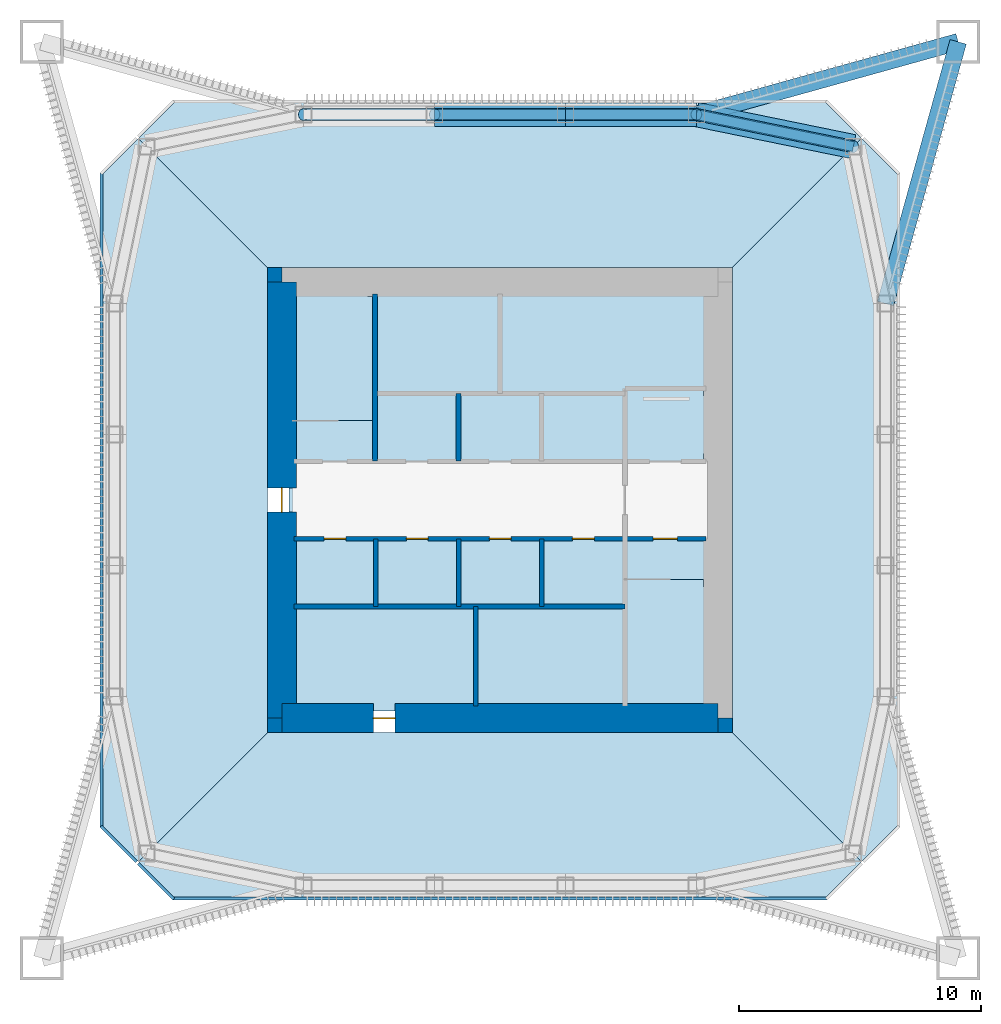
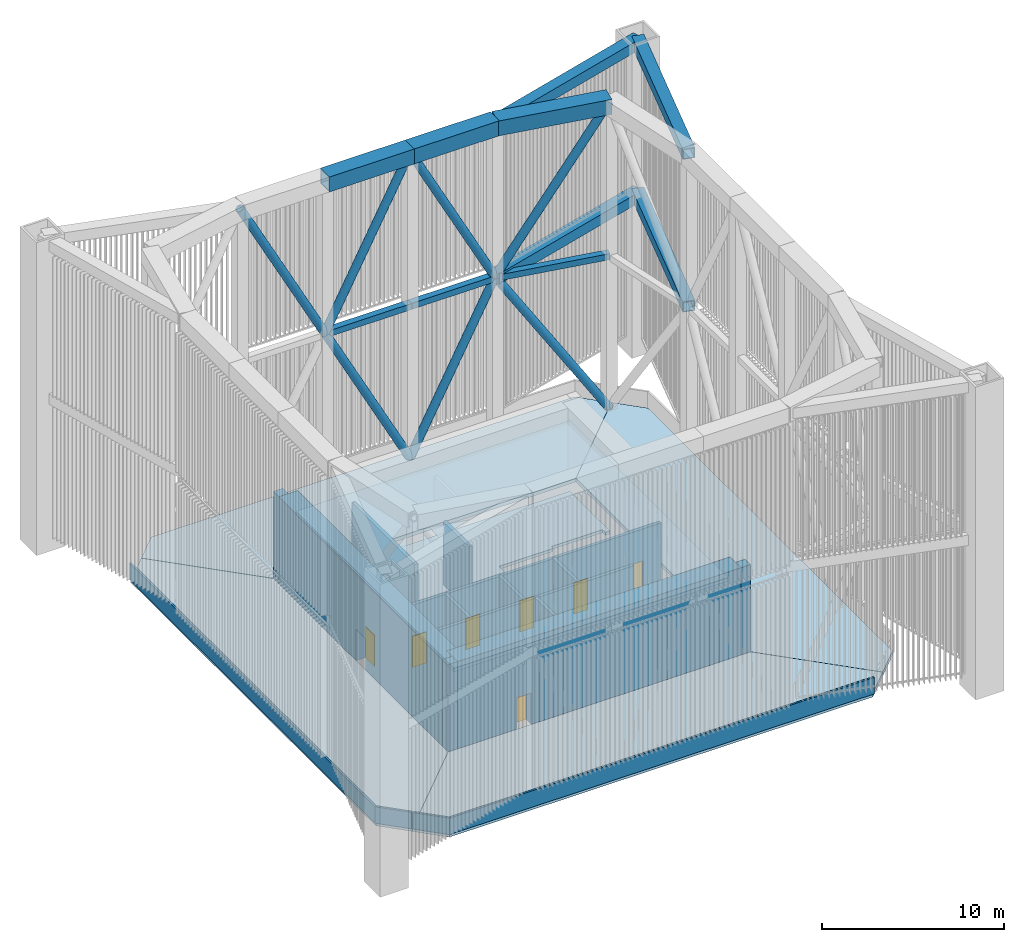
# One storey, part 2 of 13: 17 members, 17 walls, 7 doors, 6 slabs, 7 openings.
"""IFC4 building model written with IfcOpenShell, lengths in metres."""

from ifc_helpers import new_model, si_unit, direction, frame, frame_2d, origin, origin_2d, place, context, subcontext, project, spatial, polyline, rectangle, hollow_rectangle, hollow_circle, outline, extrude, material, layer, layer_set, constituent, constituent_set, material_profile, profile_set, type_object, element, fill, save


model = new_model("IFC4")

# Units and contexts
model_context = context("Model", 3, precision=1e-05, world=origin(), true_north=direction((0.0, 1.0)))
body_context = subcontext(model_context, "Body", "Model", "MODEL_VIEW")
ifc_project = project(units=[si_unit("LENGTHUNIT", "METRE"), si_unit("AREAUNIT", "SQUARE_METRE"), si_unit("VOLUMEUNIT", "CUBIC_METRE"), si_unit("PLANEANGLEUNIT", "RADIAN"), si_unit("MASSUNIT", "GRAM", prefix="KILO")], contexts=[model_context])

# Site, building, storey
site_placement = place(None, origin())
site = spatial("IfcSite", under=ifc_project, at=site_placement, CompositionType="ELEMENT")
building_placement = place(site_placement, origin())
building = spatial("IfcBuilding", under=site, at=building_placement, Name="Iwan Alto Co-Living Towers", CompositionType="ELEMENT")
storey_placement = place(building_placement, frame((0.0, 0.0, 267.5)))
storey = spatial("IfcBuildingStorey", under=building, at=storey_placement, Name="RF", CompositionType="ELEMENT", Elevation=267.5)

# Members
ifc_material_1 = material(Name="Steel ASTM A500 Gr C", Category="steel")
ifc_material_profile_1 = material_profile(ifc_material_1, hollow_circle(Radius=0.25390625, WallThickness=0.01171875, at=origin_2d()), Name="HSS20.000X0.500")
ifc_profile_set_1 = profile_set([ifc_material_profile_1], Name="Steel ASTM A500 Gr C")
member_type_1 = type_object("IfcMemberType", Name="T1 CROWN FRAME BRACE HSS20.000X0.500", PredefinedType="BRACE", material=ifc_profile_set_1)
for number, where, z_axis, x_axis, name in (
    (1, (14.57568359375, 14.57568359375, 0.0), (-0.530947587587, 0.108575618876, 0.840420129591), (-0.200347889618, -0.979724820103, 0.0), "T1 crown frame brace lower CNE"),
    (2, (8.10009765625, 15.89990234375, 10.25), (0.530947587587, -0.108575618876, 0.840420129591), (0.200347889618, 0.979724820103, 0.0), "T1 crown frame brace upper CNE"),
):
    element("IfcMember", number, at=place(storey_placement, frame(where, z_axis=z_axis, x_axis=x_axis)), inside=storey, type_object=member_type_1, Name=name, PredefinedType="BRACE", context=body_context, shape_type="SweptSolid", body=[
        extrude(hollow_circle(Radius=0.25390625, WallThickness=0.01171875, at=origin_2d()), origin(), (0.0, 0.0, 1.0), 12.1962890625),
    ])
for number, where, z_axis, x_axis, name in (
    (3, (2.699951171875, 15.89990234375, 0.0), (0.466112038043, 0.0, 0.88472570212), (0.0, 1.0, 0.0), "T1 crown frame brace lower N1"),
    (4, (8.10009765625, 15.89990234375, 10.25), (-0.466112038043, 0.0, 0.88472570212), (0.0, -1.0, 0.0), "T1 crown frame brace upper N1"),
    (5, (2.699951171875, 15.89990234375, 0.0), (-0.466095543187, 0.0, 0.884734392132), (0.0, -1.0, 0.0), "T1 crown frame brace lower N2"),
    (6, (-2.699951171875, 15.89990234375, 10.25), (0.466095543187, 0.0, 0.884734392132), (0.0, 1.0, 0.0), "T1 crown frame brace upper N2"),
    (7, (-2.699951171875, 15.89990234375, 10.25), (-0.466112038043, 0.0, 0.88472570212), (0.0, -1.0, 0.0), "T1 crown frame brace upper N3"),
):
    element("IfcMember", number, at=place(storey_placement, frame(where, z_axis=z_axis, x_axis=x_axis)), inside=storey, type_object=member_type_1, Name=name, PredefinedType="BRACE", context=body_context, shape_type="SweptSolid", body=[
        extrude(hollow_circle(Radius=0.25390625, WallThickness=0.01171875, at=origin_2d()), origin(), (0.0, 0.0, 1.0), 11.58544921875),
    ])
ifc_material_2 = material(Name="Steel ASTM A572 Gr 50", Category="steel")
ifc_material_profile_2 = material_profile(ifc_material_2, hollow_rectangle(XDim=1.0, YDim=1.0, WallThickness=0.050048828125, at=origin_2d()), Name="BOX 1000X1000X50")
ifc_profile_set_2 = profile_set([ifc_material_profile_2], Name="Steel ASTM A572 Gr 50")
member_type_2 = type_object("IfcMemberType", Name="T1 CROWN FRAME CAP RING BOX 1000X1000X50", PredefinedType="MEMBER", material=ifc_profile_set_2)
member_1_placement = place(storey_placement, frame((14.57568359375, 14.57568359375, 20.5), z_axis=(-0.979724820103, 0.200347889618, 0.0), x_axis=(-0.200347889618, -0.979724820103, 0.0)))
element("IfcMember", 8, at=member_1_placement, inside=storey, type_object=member_type_2, Name="T1 crown frame cap ring CNE", PredefinedType="MEMBER", context=body_context, shape_type="SweptSolid", body=[
    extrude(hollow_rectangle(XDim=1.0, YDim=1.0, WallThickness=0.050048828125, at=origin_2d()), origin(), (0.0, 0.0, 1.0), 6.609619140625),
])
member_2_placement = place(storey_placement, frame((8.10009765625, 15.89990234375, 20.5), z_axis=(-1.0, 0.0, 0.0), x_axis=(0.0, -1.0, 0.0)))
element("IfcMember", 9, at=member_2_placement, inside=storey, type_object=member_type_2, Name="T1 crown frame cap ring N1", PredefinedType="MEMBER", context=body_context, shape_type="SweptSolid", body=[
    extrude(hollow_rectangle(XDim=1.0, YDim=1.0, WallThickness=0.050048828125, at=origin_2d()), origin(), (0.0, 0.0, 1.0), 5.400146484375),
])
member_3_placement = place(storey_placement, frame((2.699951171875, 15.89990234375, 20.5), z_axis=(-1.0, 0.0, 0.0), x_axis=(0.0, -1.0, 0.0)))
element("IfcMember", 10, at=member_3_placement, inside=storey, type_object=member_type_2, Name="T1 crown frame cap ring N2", PredefinedType="MEMBER", context=body_context, shape_type="SweptSolid", body=[
    extrude(hollow_rectangle(XDim=1.0, YDim=1.0, WallThickness=0.050048828125, at=origin_2d()), origin(), (0.0, 0.0, 1.0), 5.39990234375),
])
ifc_material_3 = material(Name="Steel ASTM A500 Gr C", Category="steel")
ifc_material_profile_3 = material_profile(ifc_material_3, hollow_rectangle(XDim=0.406494140625, YDim=0.406494140625, WallThickness=0.0146484375, at=origin_2d()), Name="HSS16X16X5/8")
ifc_profile_set_3 = profile_set([ifc_material_profile_3], Name="Steel ASTM A500 Gr C")
member_type_3 = type_object("IfcMemberType", Name="T1 CROWN FRAME RING HSS16X16X5/8", PredefinedType="MEMBER", material=ifc_profile_set_3)
member_4_placement = place(storey_placement, frame((14.57568359375, 14.57568359375, 10.25), z_axis=(-0.979724820103, 0.200347889618, 0.0), x_axis=(-0.200347889618, -0.979724820103, 0.0)))
element("IfcMember", 11, at=member_4_placement, inside=storey, type_object=member_type_3, Name="T1 crown frame ring CNE", PredefinedType="MEMBER", context=body_context, shape_type="SweptSolid", body=[
    extrude(hollow_rectangle(XDim=0.406494140625, YDim=0.406494140625, WallThickness=0.0146484375, at=origin_2d()), origin(), (0.0, 0.0, 1.0), 6.609619140625),
])
member_5_placement = place(storey_placement, frame((8.10009765625, 15.89990234375, 10.25), z_axis=(-1.0, 0.0, 0.0), x_axis=(0.0, -1.0, 0.0)))
element("IfcMember", 12, at=member_5_placement, inside=storey, type_object=member_type_3, Name="T1 crown frame ring N1", PredefinedType="MEMBER", context=body_context, shape_type="SweptSolid", body=[
    extrude(hollow_rectangle(XDim=0.406494140625, YDim=0.406494140625, WallThickness=0.0146484375, at=origin_2d()), origin(), (0.0, 0.0, 1.0), 5.400146484375),
])
member_6_placement = place(storey_placement, frame((2.699951171875, 15.89990234375, 10.25), z_axis=(-1.0, 0.0, 0.0), x_axis=(0.0, -1.0, 0.0)))
element("IfcMember", 13, at=member_6_placement, inside=storey, type_object=member_type_3, Name="T1 crown frame ring N2", PredefinedType="MEMBER", context=body_context, shape_type="SweptSolid", body=[
    extrude(hollow_rectangle(XDim=0.406494140625, YDim=0.406494140625, WallThickness=0.0146484375, at=origin_2d()), origin(), (0.0, 0.0, 1.0), 5.39990234375),
])
ifc_material_4 = material(Name="Steel ASTM A572 Gr 50", Category="steel")
ifc_material_profile_4 = material_profile(ifc_material_4, hollow_rectangle(XDim=0.699951171875, YDim=0.699951171875, WallThickness=0.044921875, at=origin_2d()), Name="BOX 700X700X45")
ifc_profile_set_4 = profile_set([ifc_material_profile_4], Name="Steel ASTM A572 Gr 50")
member_type_4 = type_object("IfcMemberType", Name="T1 CROWN FRAME TIE BOX 700X700X45", PredefinedType="MEMBER", material=ifc_profile_set_4)
for number, where, z_axis, x_axis, name in (
    (14, (18.89990234375, 18.89990234375, 10.25), (-0.963516661409, -0.267648357342, 0.0), (0.267648357342, -0.963516661409, 0.0), "T1 crown frame tie 1 NE N1"),
    (15, (18.89990234375, 18.89990234375, 20.5), (-0.963516661409, -0.267648357342, 0.0), (0.267648357342, -0.963516661409, 0.0), "T1 crown frame tie 2 NE N1"),
    (16, (18.89990234375, 18.89990234375, 10.25), (-0.267648357342, -0.963516661409, 0.0), (0.963516661409, -0.267648357342, 0.0), "T1 crown frame tie 1 NE E4"),
    (17, (18.89990234375, 18.89990234375, 20.5), (-0.267648357342, -0.963516661409, 0.0), (0.963516661409, -0.267648357342, 0.0), "T1 crown frame tie 2 NE E4"),
):
    element("IfcMember", number, at=place(storey_placement, frame(where, z_axis=z_axis, x_axis=x_axis)), inside=storey, type_object=member_type_4, Name=name, PredefinedType="MEMBER", context=body_context, shape_type="SweptSolid", body=[
        extrude(hollow_rectangle(XDim=0.699951171875, YDim=0.699951171875, WallThickness=0.044921875, at=origin_2d()), origin(), (0.0, 0.0, 1.0), 11.208740234375),
    ])

# Slabs
ifc_material_5 = material(Name="Concrete f'c 30 MPa", Category="concrete")
ifc_layer_1 = layer(ifc_material_5, 0.199951171875)
ifc_layer_set_1 = layer_set([ifc_layer_1], Name="CORE FLOOR SLAB 200")
slab_type_1 = type_object("IfcSlabType", Name="CORE FLOOR SLAB 200", PredefinedType="FLOOR", material=ifc_layer_set_1)
slab_1_placement = place(storey_placement, frame((0.0, 0.0, -0.199951171875)))
element("IfcSlab", 18, at=slab_1_placement, inside=storey, type_object=slab_type_1, Name="T1 core floor RF", PredefinedType="FLOOR", context=body_context, shape_type="SweptSolid", body=[
    extrude(outline(polyline([(-8.699951171875, 3.580078125), (-8.39990234375, 3.580078125), (-8.39990234375, 3.27001953125), (-5.14990234375, 3.27001953125), (-5.14990234375, 8.39990234375), (-5.4599609375, 8.39990234375), (-5.4599609375, 8.699951171875), (8.699951171875, 8.699951171875), (8.699951171875, 4.2900390625), (8.39990234375, 4.2900390625), (8.39990234375, 4.60009765625), (5.14990234375, 4.60009765625), (5.14990234375, 4.39990234375), (1.717041015625, 4.39990234375), (1.717041015625, 1.60009765625), (5.14990234375, 1.60009765625), (8.39990234375, 1.60009765625), (8.39990234375, 1.909912109375), (8.699951171875, 1.909912109375), (8.699951171875, -3.580078125), (8.39990234375, -3.580078125), (8.39990234375, -3.27001953125), (5.14990234375, -3.27001953125), (5.14990234375, -8.39990234375), (5.4599609375, -8.39990234375), (5.4599609375, -8.699951171875), (-8.699951171875, -8.699951171875), (-8.699951171875, 3.580078125)])), origin(), (0.0, 0.0, 1.0), 0.199951171875),
])
ifc_material_6 = material(Name="Concrete f'c 30 MPa", Category="concrete")
ifc_layer_2 = layer(ifc_material_6, 0.25)
ifc_layer_set_2 = layer_set([ifc_layer_2], Name="CORE ROOF SLAB 250")
slab_type_2 = type_object("IfcSlabType", Name="CORE ROOF SLAB 250", PredefinedType="ROOF", material=ifc_layer_set_2)
slab_2_placement = place(storey_placement, frame((0.0, 0.0, 4.5)))
element("IfcSlab", 19, at=slab_2_placement, inside=storey, type_object=slab_type_2, Name="T1 core roof", PredefinedType="ROOF", context=body_context, shape_type="SweptSolid", body=[
    extrude(outline(polyline([(-8.699951171875, -8.699951171875), (8.699951171875, -8.699951171875), (8.699951171875, 8.699951171875), (-8.699951171875, 8.699951171875), (-8.699951171875, -8.699951171875)])), origin(), (0.0, 0.0, 1.0), 0.25),
])
ifc_material_7 = material(Name="Concrete f'c 30 MPa", Category="concrete")
ifc_layer_3 = layer(ifc_material_7, 0.25)
ifc_layer_set_3 = layer_set([ifc_layer_3], Name="T1 ROOF SLAB 250")
slab_type_3 = type_object("IfcSlabType", Name="T1 ROOF SLAB 250", PredefinedType="ROOF", material=ifc_layer_set_3)
slab_3_placement = place(storey_placement, frame((0.0, 0.0, -0.25)))
element("IfcSlab", 20, at=slab_3_placement, inside=storey, type_object=slab_type_3, Name="T1 roof slab RF S pour", PredefinedType="ROOF", context=body_context, shape_type="SweptSolid", body=[
    extrude(outline(polyline([(13.44140625, -16.39990234375), (-13.44140625, -16.39990234375), (-14.920654296875, -14.920654296875), (-9.60009765625, -9.60009765625), (9.60009765625, -9.60009765625), (14.920654296875, -14.920654296875), (13.44140625, -16.39990234375)])), origin(), (0.0, 0.0, 1.0), 0.25),
])
slab_4_placement = place(storey_placement, frame((0.0, 0.0, -0.25)))
element("IfcSlab", 21, at=slab_4_placement, inside=storey, type_object=slab_type_3, Name="T1 roof slab RF E pour", PredefinedType="ROOF", context=body_context, shape_type="SweptSolid", body=[
    extrude(outline(polyline([(16.39990234375, 13.44140625), (16.39990234375, -13.44140625), (14.920654296875, -14.920654296875), (9.60009765625, -9.60009765625), (9.60009765625, 9.60009765625), (14.920654296875, 14.920654296875), (16.39990234375, 13.44140625)])), origin(), (0.0, 0.0, 1.0), 0.25),
])
slab_5_placement = place(storey_placement, frame((0.0, 0.0, -0.25)))
element("IfcSlab", 22, at=slab_5_placement, inside=storey, type_object=slab_type_3, Name="T1 roof slab RF N pour", PredefinedType="ROOF", context=body_context, shape_type="SweptSolid", body=[
    extrude(outline(polyline([(-13.44140625, 16.39990234375), (13.44140625, 16.39990234375), (14.920654296875, 14.920654296875), (9.60009765625, 9.60009765625), (-9.60009765625, 9.60009765625), (-14.920654296875, 14.920654296875), (-13.44140625, 16.39990234375)])), origin(), (0.0, 0.0, 1.0), 0.25),
])
slab_6_placement = place(storey_placement, frame((0.0, 0.0, -0.25)))
element("IfcSlab", 23, at=slab_6_placement, inside=storey, type_object=slab_type_3, Name="T1 roof slab RF W pour", PredefinedType="ROOF", context=body_context, shape_type="SweptSolid", body=[
    extrude(outline(polyline([(-16.39990234375, 13.44140625), (-14.920654296875, 14.920654296875), (-9.60009765625, 9.60009765625), (-9.60009765625, -9.60009765625), (-14.920654296875, -14.920654296875), (-16.39990234375, -13.44140625), (-16.39990234375, 13.44140625)])), origin(), (0.0, 0.0, 1.0), 0.25),
])

# Walls
ifc_material_8 = material(Name="Concrete f'c 30 MPa", Category="concrete")
ifc_constituent_1 = constituent(ifc_material_8, Name="Upstand", Category="LoadBearing")
ifc_material_9 = material(Name="Aluminium 6063-T6 bronze anodised", Category="aluminium")
ifc_constituent_2 = constituent(ifc_material_9, Name="Coping", Category="Finish")
ifc_constituent_set = constituent_set(constituents=[ifc_constituent_1, ifc_constituent_2], Name="ROOF PARAPET 120")
wall_type_1 = type_object("IfcWallType", Name="ROOF PARAPET 120", PredefinedType="PARAPET", material=ifc_constituent_set)
for number, where, z_axis, x_axis, name in (
    (24, (-13.5, -16.43994140625, 0.0), (0.0, 0.0, 1.0), (1.0, 0.0, 0.0), "Roof parapet RF"),
    (25, (-16.43994140625, 13.5, 0.0), (0.0, 0.0, 1.0), (0.0, -1.0, 0.0), "Roof parapet RF"),
):
    element("IfcWall", number, at=place(storey_placement, frame(where, z_axis=z_axis, x_axis=x_axis)), inside=storey, type_object=wall_type_1, Name=name, PredefinedType="PARAPET", context=body_context, shape_type="SweptSolid", body=[
        extrude(rectangle(XDim=27.0, YDim=0.1201171875, at=frame_2d((13.5, 0.0))), origin(), (0.0, 0.0, 1.0), 1.10009765625),
    ])
for number, where, z_axis, x_axis, name in (
    (26, (-16.45751953125, -13.45751953125, 0.0), (0.0, 0.0, 1.0), (0.707106781187, -0.707106781187, 0.0), "Roof parapet RF"),
    (27, (-14.92431640625, -14.99072265625, 0.0), (0.0, 0.0, 1.0), (0.707106781187, -0.707106781187, 0.0), "Roof parapet RF"),
):
    element("IfcWall", number, at=place(storey_placement, frame(where, z_axis=z_axis, x_axis=x_axis)), inside=storey, type_object=wall_type_1, Name=name, PredefinedType="PARAPET", context=body_context, shape_type="SweptSolid", body=[
        extrude(rectangle(XDim=2.074462890625, YDim=0.1201171875, at=frame_2d((1.037109375, 0.0))), origin(), (0.0, 0.0, 1.0), 1.10009765625),
    ])
ifc_material_10 = material(Name="Concrete f'c 70 MPa", Category="concrete")
ifc_layer_4 = layer(ifc_material_10, 0.199951171875)
ifc_layer_set_4 = layer_set([ifc_layer_4], Name="SHAFT WALL 200")
wall_type_2 = type_object("IfcWallType", Name="SHAFT WALL 200", PredefinedType="SOLIDWALL", material=ifc_layer_set_4)
wall_1_placement = place(storey_placement, frame((-8.489990234375, -4.39990234375, 0.0), z_axis=(0.0, 0.0, 1.0), x_axis=(1.0, 0.0, 0.0)))
element("IfcWall", 28, at=wall_1_placement, inside=storey, type_object=wall_type_2, Name="Shaft wall RF", PredefinedType="SOLIDWALL", context=body_context, shape_type="SweptSolid", body=[
    extrude(rectangle(XDim=13.639892578125, YDim=0.199951171875, at=frame_2d((6.81982421875, 0.0))), origin(), (0.0, 0.0, 1.0), 4.25),
])

# Wall, openings, doors
wall_2_placement = place(storey_placement, frame((-8.489990234375, -1.60009765625, 0.0), z_axis=(0.0, 0.0, 1.0), x_axis=(1.0, 0.0, 0.0)))
wall_2 = element("IfcWall", 29, at=wall_2_placement, inside=storey, type_object=wall_type_2, Name="Shaft wall RF", PredefinedType="SOLIDWALL", context=body_context, shape_type="SweptSolid", body=[
    extrude(rectangle(XDim=16.97998046875, YDim=0.199951171875, at=frame_2d((8.489990234375, 0.0))), origin(), (0.0, 0.0, 1.0), 4.25),
])
opening_1_placement = place(wall_2_placement, frame((14.81005859375, 0.0, 0.0)))
opening_1 = element("IfcOpeningElement", 30, at=opening_1_placement, cuts=wall_2, Name="Opening D5", PredefinedType="OPENING", context=body_context, shape_type="SweptSolid", body=[
    extrude(rectangle(XDim=1.0, YDim=2.10009765625, at=frame_2d((0.5, 1.050048828125))), frame((0.0, 0.10986328125, 0.0), z_axis=(0.0, -1.0, 0.0), x_axis=(1.0, 0.0, 0.0)), (0.0, 0.0, 1.0), 0.219970703125),
])
opening_2_placement = place(wall_2_placement, frame((1.23193359375, 0.0, 0.0)))
opening_2 = element("IfcOpeningElement", 31, at=opening_2_placement, cuts=wall_2, Name="Opening D15", PredefinedType="OPENING", context=body_context, shape_type="SweptSolid", body=[
    extrude(rectangle(XDim=0.89990234375, YDim=2.10009765625, at=frame_2d((0.449951171875, 1.050048828125))), frame((0.0, 0.10986328125, 0.0), z_axis=(0.0, -1.0, 0.0), x_axis=(1.0, 0.0, 0.0)), (0.0, 0.0, 1.0), 0.219970703125),
])
opening_3_placement = place(wall_2_placement, frame((4.626953125, 0.0, 0.0)))
opening_3 = element("IfcOpeningElement", 32, at=opening_3_placement, cuts=wall_2, Name="Opening D15", PredefinedType="OPENING", context=body_context, shape_type="SweptSolid", body=[
    extrude(rectangle(XDim=0.89990234375, YDim=2.10009765625, at=frame_2d((0.449951171875, 1.050048828125))), frame((0.0, 0.10986328125, 0.0), z_axis=(0.0, -1.0, 0.0), x_axis=(1.0, 0.0, 0.0)), (0.0, 0.0, 1.0), 0.219970703125),
])
opening_4_placement = place(wall_2_placement, frame((8.052001953125, 0.0, 0.0)))
opening_4 = element("IfcOpeningElement", 33, at=opening_4_placement, cuts=wall_2, Name="Opening D15", PredefinedType="OPENING", context=body_context, shape_type="SweptSolid", body=[
    extrude(rectangle(XDim=0.89990234375, YDim=2.10009765625, at=frame_2d((0.449951171875, 1.050048828125))), frame((0.0, 0.10986328125, 0.0), z_axis=(0.0, -1.0, 0.0), x_axis=(1.0, 0.0, 0.0)), (0.0, 0.0, 1.0), 0.219970703125),
])
opening_5_placement = place(wall_2_placement, frame((11.47802734375, 0.0, 0.0)))
opening_5 = element("IfcOpeningElement", 34, at=opening_5_placement, cuts=wall_2, Name="Opening D15", PredefinedType="OPENING", context=body_context, shape_type="SweptSolid", body=[
    extrude(rectangle(XDim=0.89990234375, YDim=2.10009765625, at=frame_2d((0.449951171875, 1.050048828125))), frame((0.0, 0.10986328125, 0.0), z_axis=(0.0, -1.0, 0.0), x_axis=(1.0, 0.0, 0.0)), (0.0, 0.0, 1.0), 0.219970703125),
])
ifc_material_11 = material(Name="Steel frame with timber leaf", Category="steel")
door_type_1 = type_object("IfcDoorType", Name="CORE ROOM DOOR FD60S 900X2100", OperationType="SINGLE_SWING_LEFT", PredefinedType="DOOR", material=ifc_material_11)
door_1_placement = place(opening_2_placement, frame((0.89990234375, 0.0, 0.0), z_axis=(0.0, 0.0, 1.0), x_axis=(-1.0, 0.0, 0.0)))
door_1 = element("IfcDoor", 35, at=door_1_placement, inside=storey, type_object=door_type_1, Name="BMU and roof plant room door RF", OperationType="SINGLE_SWING_LEFT", OverallHeight=2.10009765625, OverallWidth=0.89990234375, PredefinedType="DOOR", context=body_context, shape_type="SweptSolid", body=[
    extrude(rectangle(XDim=0.89990234375, YDim=2.10009765625, at=frame_2d((0.449951171875, 1.050048828125))), frame((0.0, 0.02490234375, 0.0), z_axis=(0.0, -1.0, 0.0), x_axis=(1.0, 0.0, 0.0)), (0.0, 0.0, 1.0), 0.050048828125),
])
fill(opening_2, door_1)
door_2_placement = place(opening_3_placement, frame((0.89990234375, 0.0, 0.0), z_axis=(0.0, 0.0, 1.0), x_axis=(-1.0, 0.0, 0.0)))
door_2 = element("IfcDoor", 36, at=door_2_placement, inside=storey, type_object=door_type_1, Name="Roof water tank room door RF", OperationType="SINGLE_SWING_RIGHT", OverallHeight=2.10009765625, OverallWidth=0.89990234375, PredefinedType="DOOR", context=body_context, shape_type="SweptSolid", body=[
    extrude(rectangle(XDim=0.89990234375, YDim=2.10009765625, at=frame_2d((0.449951171875, 1.050048828125))), frame((0.0, 0.02490234375, 0.0), z_axis=(0.0, -1.0, 0.0), x_axis=(1.0, 0.0, 0.0)), (0.0, 0.0, 1.0), 0.050048828125),
])
fill(opening_3, door_2)
door_3_placement = place(opening_4_placement, frame((0.89990234375, 0.0, 0.0), z_axis=(0.0, 0.0, 1.0), x_axis=(-1.0, 0.0, 0.0)))
door_3 = element("IfcDoor", 37, at=door_3_placement, inside=storey, type_object=door_type_1, Name="Roof plant room door RF", OperationType="SINGLE_SWING_RIGHT", OverallHeight=2.10009765625, OverallWidth=0.89990234375, PredefinedType="DOOR", context=body_context, shape_type="SweptSolid", body=[
    extrude(rectangle(XDim=0.89990234375, YDim=2.10009765625, at=frame_2d((0.449951171875, 1.050048828125))), frame((0.0, 0.02490234375, 0.0), z_axis=(0.0, -1.0, 0.0), x_axis=(1.0, 0.0, 0.0)), (0.0, 0.0, 1.0), 0.050048828125),
])
fill(opening_4, door_3)
door_4_placement = place(opening_5_placement, frame((0.89990234375, 0.0, 0.0), z_axis=(0.0, 0.0, 1.0), x_axis=(-1.0, 0.0, 0.0)))
door_4 = element("IfcDoor", 38, at=door_4_placement, inside=storey, type_object=door_type_1, Name="Lift motor plant room door RF", OperationType="SINGLE_SWING_RIGHT", OverallHeight=2.10009765625, OverallWidth=0.89990234375, PredefinedType="DOOR", context=body_context, shape_type="SweptSolid", body=[
    extrude(rectangle(XDim=0.89990234375, YDim=2.10009765625, at=frame_2d((0.449951171875, 1.050048828125))), frame((0.0, 0.02490234375, 0.0), z_axis=(0.0, -1.0, 0.0), x_axis=(1.0, 0.0, 0.0)), (0.0, 0.0, 1.0), 0.050048828125),
])
fill(opening_5, door_4)
ifc_material_12 = material(Name="Steel frame with timber leaf", Category="steel")
door_type_2 = type_object("IfcDoorType", Name="STAIR DOOR FD120S 1000X2100", OperationType="SINGLE_SWING_LEFT", PredefinedType="DOOR", material=ifc_material_12)
door_5_placement = place(opening_1_placement, frame((1.0, 0.0, 0.0), z_axis=(0.0, 0.0, 1.0), x_axis=(-1.0, 0.0, 0.0)))
door_5 = element("IfcDoor", 39, at=door_5_placement, inside=storey, type_object=door_type_2, Name="Stair S2 door RF", OperationType="SINGLE_SWING_RIGHT", OverallHeight=2.10009765625, OverallWidth=1.0, PredefinedType="DOOR", context=body_context, shape_type="SweptSolid", body=[
    extrude(rectangle(XDim=1.0, YDim=2.10009765625, at=frame_2d((0.5, 1.050048828125))), frame((0.0, 0.02490234375, 0.0), z_axis=(0.0, -1.0, 0.0), x_axis=(1.0, 0.0, 0.0)), (0.0, 0.0, 1.0), 0.050048828125),
])
fill(opening_1, door_5)

# Walls
wall_3_placement = place(storey_placement, frame((1.72509765625, -4.39990234375, 0.0), z_axis=(0.0, 0.0, 1.0), x_axis=(0.0, 1.0, 0.0)))
element("IfcWall", 40, at=wall_3_placement, inside=storey, type_object=wall_type_2, Name="Shaft wall RF", PredefinedType="SOLIDWALL", context=body_context, shape_type="SweptSolid", body=[
    extrude(rectangle(XDim=2.7998046875, YDim=0.199951171875, at=frame_2d((1.39990234375, 0.0))), origin(), (0.0, 0.0, 1.0), 4.25),
])
wall_4_placement = place(storey_placement, frame((-1.0, -8.489990234375, 0.0), z_axis=(0.0, 0.0, 1.0), x_axis=(0.0, 1.0, 0.0)))
element("IfcWall", 41, at=wall_4_placement, inside=storey, type_object=wall_type_2, Name="Shaft wall RF", PredefinedType="SOLIDWALL", context=body_context, shape_type="SweptSolid", body=[
    extrude(rectangle(XDim=4.090087890625, YDim=0.199951171875, at=frame_2d((2.044921875, 0.0))), origin(), (0.0, 0.0, 1.0), 4.25),
])
for number, where, z_axis, x_axis, name in (
    (42, (-1.699951171875, -4.39990234375, 0.0), (0.0, 0.0, 1.0), (0.0, 1.0, 0.0), "Shaft wall RF"),
    (43, (-1.717041015625, 1.60009765625, 0.0), (0.0, 0.0, 1.0), (0.0, 1.0, 0.0), "Shaft wall RF"),
    (44, (-5.125, -4.39990234375, 0.0), (0.0, 0.0, 1.0), (0.0, 1.0, 0.0), "Shaft wall RF"),
):
    element("IfcWall", number, at=place(storey_placement, frame(where, z_axis=z_axis, x_axis=x_axis)), inside=storey, type_object=wall_type_2, Name=name, PredefinedType="SOLIDWALL", context=body_context, shape_type="SweptSolid", body=[
        extrude(rectangle(XDim=2.7998046875, YDim=0.199951171875, at=frame_2d((1.39990234375, 0.0))), origin(), (0.0, 0.0, 1.0), 4.25),
    ])
wall_5_placement = place(storey_placement, frame((-5.14990234375, 1.60009765625, 0.0), z_axis=(0.0, 0.0, 1.0), x_axis=(0.0, 1.0, 0.0)))
element("IfcWall", 45, at=wall_5_placement, inside=storey, type_object=wall_type_2, Name="Shaft wall RF", PredefinedType="SOLIDWALL", context=body_context, shape_type="SweptSolid", body=[
    extrude(rectangle(XDim=6.889892578125, YDim=0.199951171875, at=frame_2d((3.44482421875, 0.0))), origin(), (0.0, 0.0, 1.0), 4.25),
])
ifc_material_13 = material(Name="Concrete f'c 70 MPa", Category="concrete")
ifc_layer_5 = layer(ifc_material_13, 0.60009765625)
ifc_layer_set_5 = layer_set([ifc_layer_5], Name="T1 CORE CORNER FILL 600")
wall_type_3 = type_object("IfcWallType", Name="T1 CORE CORNER FILL 600", PredefinedType="SOLIDWALL", material=ifc_layer_set_5)
for number, where, z_axis, x_axis, name in (
    (46, (-9.60009765625, -9.300048828125, 0.0), (0.0, 0.0, 1.0), (1.0, 0.0, 0.0), "T1 core corner SW RF"),
    (47, (9.0, -9.300048828125, 0.0), (0.0, 0.0, 1.0), (1.0, 0.0, 0.0), "T1 core corner SE RF"),
    (48, (-9.60009765625, 9.300048828125, 0.0), (0.0, 0.0, 1.0), (1.0, 0.0, 0.0), "T1 core corner NW RF"),
):
    element("IfcWall", number, at=place(storey_placement, frame(where, z_axis=z_axis, x_axis=x_axis)), inside=storey, type_object=wall_type_3, Name=name, PredefinedType="SOLIDWALL", context=body_context, shape_type="SweptSolid", body=[
        extrude(rectangle(XDim=0.60009765625, YDim=0.60009765625, at=frame_2d((0.300048828125, 0.0))), origin(), (0.0, 0.0, 1.0), 5.85009765625),
    ])

# Wall, opening, door
ifc_material_14 = material(Name="Concrete f'c 70 MPa", Category="concrete")
ifc_layer_6 = layer(ifc_material_14, 1.199951171875)
ifc_layer_set_6 = layer_set([ifc_layer_6], Name="T1 CORE WALL 1200")
wall_type_4 = type_object("IfcWallType", Name="T1 CORE WALL 1200", PredefinedType="SHEAR", material=ifc_layer_set_6)
wall_6_placement = place(storey_placement, frame((-9.0, -9.0, 0.0), z_axis=(0.0, 0.0, 1.0), x_axis=(1.0, 0.0, 0.0)))
wall_6 = element("IfcWall", 49, at=wall_6_placement, inside=storey, type_object=wall_type_4, Name="T1 core wall S RF", PredefinedType="SHEAR", context=body_context, shape_type="SweptSolid", body=[
    extrude(rectangle(XDim=18.0, YDim=1.199951171875, at=frame_2d((9.0, 0.0))), origin(), (0.0, 0.0, 1.0), 5.85009765625),
])
opening_6_placement = place(wall_6_placement, frame((3.77490234375, 0.0, 0.0)))
opening_6 = element("IfcOpeningElement", 50, at=opening_6_placement, cuts=wall_6, Name="Opening D8", PredefinedType="OPENING", context=body_context, shape_type="SweptSolid", body=[
    extrude(rectangle(XDim=0.89990234375, YDim=2.10009765625, at=frame_2d((0.449951171875, 1.050048828125))), frame((0.0, 0.60986328125, 0.0), z_axis=(0.0, -1.0, 0.0), x_axis=(1.0, 0.0, 0.0)), (0.0, 0.0, 1.0), 1.219970703125),
])
ifc_material_15 = material(Name="Steel frame with timber leaf", Category="steel")
door_type_3 = type_object("IfcDoorType", Name="RISER DOOR FD120 900X2100", OperationType="SINGLE_SWING_LEFT", PredefinedType="DOOR", material=ifc_material_15)
door_6_placement = place(opening_6_placement, frame((0.89990234375, 0.0, 0.0), z_axis=(0.0, 0.0, 1.0), x_axis=(-1.0, 0.0, 0.0)))
door_6 = element("IfcDoor", 51, at=door_6_placement, inside=storey, type_object=door_type_3, Name="Refuse chute riser core door RF", OperationType="SINGLE_SWING_RIGHT", OverallHeight=2.10009765625, OverallWidth=0.89990234375, PredefinedType="DOOR", context=body_context, shape_type="SweptSolid", body=[
    extrude(rectangle(XDim=0.89990234375, YDim=2.10009765625, at=frame_2d((0.449951171875, 1.050048828125))), frame((0.0, 0.02490234375, 0.0), z_axis=(0.0, -1.0, 0.0), x_axis=(1.0, 0.0, 0.0)), (0.0, 0.0, 1.0), 0.050048828125),
])
fill(opening_6, door_6)

wall_7_placement = place(storey_placement, frame((-9.0, 9.0, 0.0), z_axis=(0.0, 0.0, 1.0), x_axis=(0.0, -1.0, 0.0)))
wall_7 = element("IfcWall", 52, at=wall_7_placement, inside=storey, type_object=wall_type_4, Name="T1 core wall W RF", PredefinedType="SHEAR", context=body_context, shape_type="SweptSolid", body=[
    extrude(rectangle(XDim=18.0, YDim=1.199951171875, at=frame_2d((9.0, 0.0))), origin(), (0.0, 0.0, 1.0), 5.85009765625),
])
opening_7_placement = place(wall_7_placement, frame((8.5, 0.0, 0.0)))
opening_7 = element("IfcOpeningElement", 53, at=opening_7_placement, cuts=wall_7, Name="Opening DE6", PredefinedType="OPENING", context=body_context, shape_type="SweptSolid", body=[
    extrude(rectangle(XDim=1.0, YDim=2.10009765625, at=frame_2d((0.5, 1.050048828125))), frame((0.0, 0.60986328125, 0.0), z_axis=(0.0, -1.0, 0.0), x_axis=(1.0, 0.0, 0.0)), (0.0, 0.0, 1.0), 1.219970703125),
])
ifc_material_16 = material(Name="Steel door", Category="steel")
door_type_4 = type_object("IfcDoorType", Name="ROOF ACCESS DOOR FD60 1000X2100", OperationType="SINGLE_SWING_LEFT", PredefinedType="DOOR", material=ifc_material_16)
door_7_placement = place(opening_7_placement, frame((1.0, 0.0, 0.0), z_axis=(0.0, 0.0, 1.0), x_axis=(-1.0, 0.0, 0.0)))
door_7 = element("IfcDoor", 54, at=door_7_placement, inside=storey, type_object=door_type_4, Name="Roof access door", OperationType="SINGLE_SWING_RIGHT", OverallHeight=2.10009765625, OverallWidth=1.0, PredefinedType="DOOR", context=body_context, shape_type="SweptSolid", body=[
    extrude(rectangle(XDim=1.0, YDim=2.10009765625, at=frame_2d((0.5, 1.050048828125))), frame((0.0, 0.02490234375, 0.0), z_axis=(0.0, -1.0, 0.0), x_axis=(1.0, 0.0, 0.0)), (0.0, 0.0, 1.0), 0.050048828125),
])
fill(opening_7, door_7)

save(model, "model.ifc")
